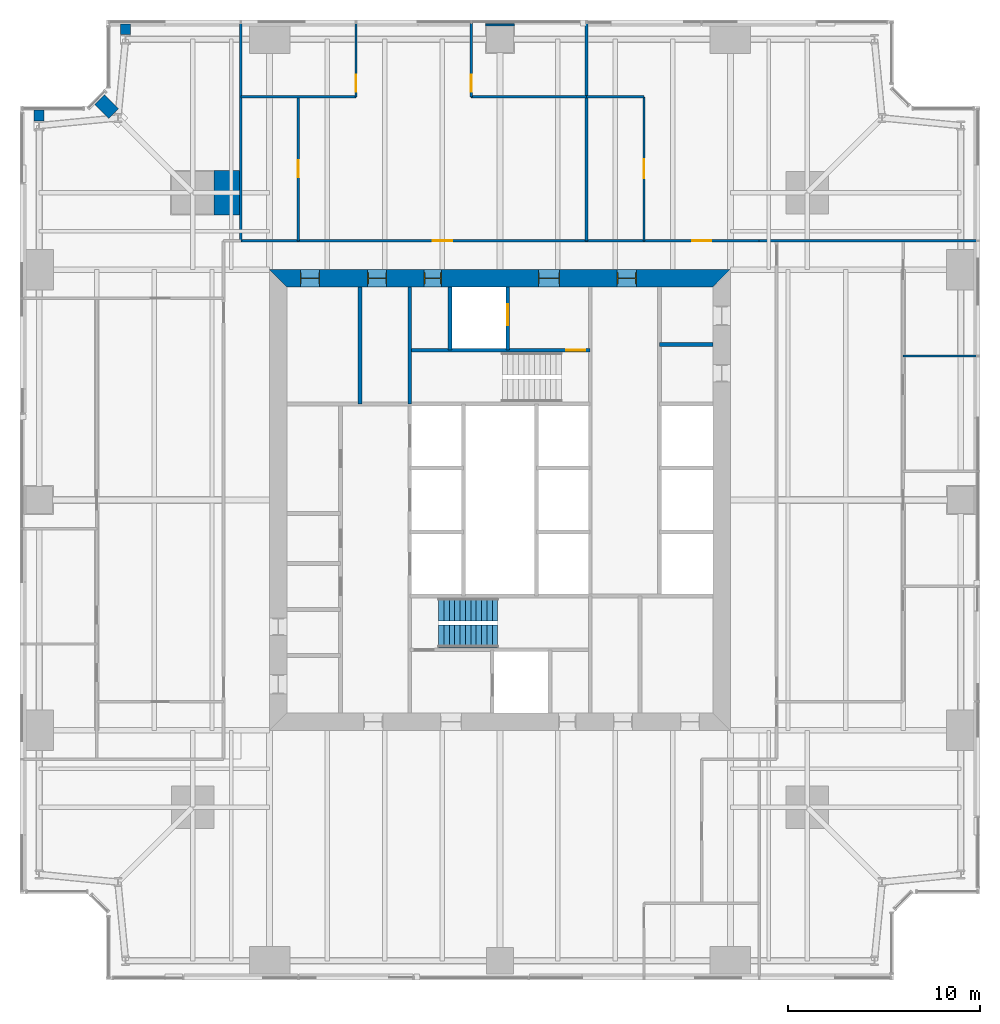
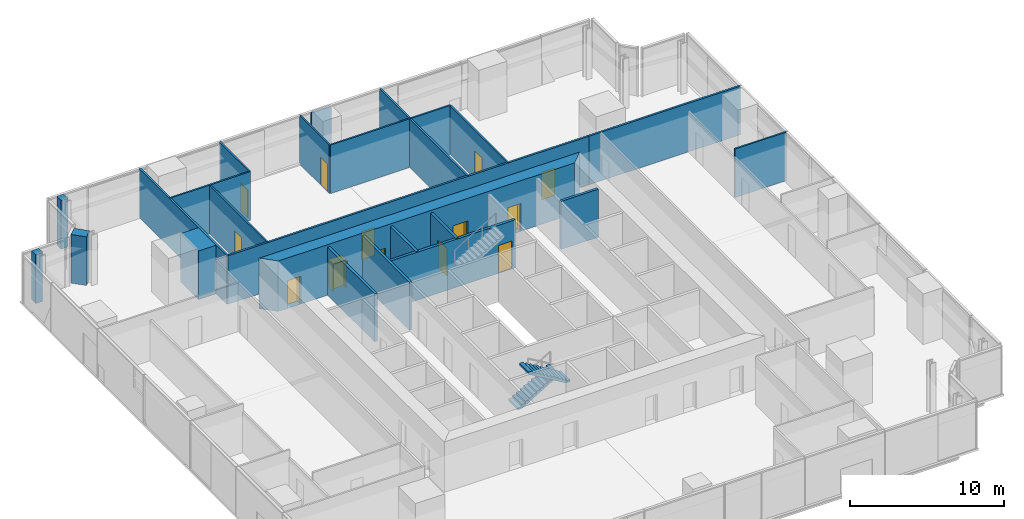
# One storey, part 11 of 14: 24 walls, 13 doors, 2 stair flights, 13 openings, 1 element without a shape of its own.
"""IFC4 building model written with IfcOpenShell, lengths in metres."""

from ifc_helpers import new_model, si_unit, direction, frame, frame_2d, origin, place, context, subcontext, project, spatial, polyline, rectangle, outline, extrude, material, layer, layer_set, type_object, element, fill, aggregate, save


model = new_model("IFC4")

# Units and contexts
model_context = context("Model", 3, precision=1e-05, world=origin(), true_north=direction((0.0, 1.0)))
body_context = subcontext(model_context, "Body", "Model", "MODEL_VIEW")
ifc_project = project(units=[si_unit("LENGTHUNIT", "METRE"), si_unit("AREAUNIT", "SQUARE_METRE"), si_unit("VOLUMEUNIT", "CUBIC_METRE"), si_unit("PLANEANGLEUNIT", "RADIAN"), si_unit("MASSUNIT", "GRAM", prefix="KILO")], contexts=[model_context])

# Site, building, storey
site_placement = place(None, origin())
site = spatial("IfcSite", under=ifc_project, at=site_placement, CompositionType="ELEMENT")
building_placement = place(site_placement, origin())
building = spatial("IfcBuilding", under=site, at=building_placement, Name="Fenwick Lantern Interchange", CompositionType="ELEMENT")
storey_placement = place(building_placement, frame((0.0, 0.0, 122.39990234375)))
storey = spatial("IfcBuildingStorey", under=building, at=storey_placement, Name="L28", CompositionType="ELEMENT", Elevation=122.39990234375)

# Walls
ifc_material_1 = material(Name="Fire-rated gypsum board encasement on steel studs, 2 hour", Category="steel")
ifc_layer_1 = layer(ifc_material_1, 1.5)
ifc_layer_set_1 = layer_set([ifc_layer_1], Name="COLUMN PIER 1500")
wall_type_1 = type_object("IfcWallType", Name="COLUMN PIER 1500", PredefinedType="PARTITIONING", material=ifc_layer_set_1)
wall_1_placement = place(storey_placement, frame((25.0, 49.800048828125, 0.0), z_axis=(0.0, 0.0, 1.0), x_axis=(0.0, -1.0, 0.0)))
element("IfcWall", 1, at=wall_1_placement, inside=storey, type_object=wall_type_1, Name="L28/W/PIER/CN3", PredefinedType="PARTITIONING", context=body_context, shape_type="SweptSolid", body=[
    extrude(rectangle(XDim=0.10009765625, YDim=1.5, at=frame_2d((0.050048828125, 0.0))), origin(), (0.0, 0.0, 1.0), 3.85009765625),
])
ifc_layer_2 = layer(ifc_material_1, 2.300048828125)
ifc_layer_set_2 = layer_set([ifc_layer_2], Name="COLUMN PIER 2300")
wall_type_2 = type_object("IfcWallType", Name="COLUMN PIER 2300", PredefinedType="PARTITIONING", material=ifc_layer_set_2)
wall_2_placement = place(storey_placement, frame((11.425048828125, 41.0, 0.0), z_axis=(0.0, 0.0, 1.0), x_axis=(-1.0, 0.0, 0.0)))
element("IfcWall", 2, at=wall_2_placement, inside=storey, type_object=wall_type_2, Name="L28/W/PIER/M4", PredefinedType="PARTITIONING", context=body_context, shape_type="SweptSolid", body=[
    extrude(rectangle(XDim=1.324951171875, YDim=2.300048828125, at=frame_2d((0.66259765625, 0.0))), origin(), (0.0, 0.0, 1.0), 3.85009765625),
])
ifc_layer_3 = layer(ifc_material_1, 0.52392578125)
ifc_layer_set_3 = layer_set([ifc_layer_3], Name="COLUMN PIER 524")
wall_type_3 = type_object("IfcWallType", Name="COLUMN PIER 524", PredefinedType="PARTITIONING", material=ifc_layer_set_3)
for number, where, z_axis, x_axis, name in (
    (3, (5.5, 49.800048828125, 0.0), (0.0, 0.0, 1.0), (0.0, -1.0, 0.0), "L28/W/PIER/CN5"),
    (4, (1.0, 45.300048828125, 0.0), (0.0, 0.0, 1.0), (0.0, -1.0, 0.0), "L28/W/PIER/CW1"),
):
    element("IfcWall", number, at=place(storey_placement, frame(where, z_axis=z_axis, x_axis=x_axis)), inside=storey, type_object=wall_type_3, Name=name, PredefinedType="PARTITIONING", context=body_context, shape_type="SweptSolid", body=[
        extrude(rectangle(XDim=0.5625, YDim=0.52392578125, at=frame_2d((0.28125, 0.0))), origin(), (0.0, 0.0, 1.0), 3.85009765625),
    ])
ifc_layer_4 = layer(ifc_material_1, 0.736083984375)
ifc_layer_set_4 = layer_set([ifc_layer_4], Name="COLUMN PIER 736")
wall_type_4 = type_object("IfcWallType", Name="COLUMN PIER 736", PredefinedType="PARTITIONING", material=ifc_layer_set_4)
wall_3_placement = place(storey_placement, frame((4.141357421875, 45.858642578125, 0.0), z_axis=(0.0, 0.0, 1.0), x_axis=(0.707106781187, -0.707106781187, 0.0)))
element("IfcWall", 5, at=wall_3_placement, inside=storey, type_object=wall_type_4, Name="L28/W/PIER/CNR", PredefinedType="PARTITIONING", context=body_context, shape_type="SweptSolid", body=[
    extrude(rectangle(XDim=1.037841796875, YDim=0.736083984375, at=frame_2d((0.51904296875, 0.0))), origin(), (0.0, 0.0, 1.0), 3.85009765625),
])

# Wall, opening, door
ifc_material_2 = material(Name="Concrete masonry ASTM C90 Grade N", Category="masonry")
ifc_layer_5 = layer(ifc_material_2, 0.199951171875)
ifc_layer_set_5 = layer_set([ifc_layer_5], Name="Concrete masonry ASTM C90 Grade N")
wall_type_5 = type_object("IfcWallType", Name="CORE PARTITION 200", PredefinedType="PARTITIONING", material=ifc_layer_set_5)
wall_4_placement = place(storey_placement, frame((25.39990234375, 36.10009765625, 0.0), z_axis=(0.0, 0.0, 1.0), x_axis=(0.0, -1.0, 0.0)))
wall_4 = element("IfcWall", 6, at=wall_4_placement, inside=storey, type_object=wall_type_5, Name="L28/W/COREN/h1", PredefinedType="PARTITIONING", context=body_context, shape_type="SweptSolid", body=[
    extrude(rectangle(XDim=3.300048828125, YDim=0.199951171875, at=frame_2d((1.64990234375, 0.0))), origin(), (0.0, 0.0, 1.0), 3.800048828125),
])
opening_1_placement = place(wall_4_placement, frame((0.89990234375, 0.0, 0.0)))
opening_1 = element("IfcOpeningElement", 7, at=opening_1_placement, cuts=wall_4, Name="Opening LD-FL2", PredefinedType="OPENING", context=body_context, shape_type="SweptSolid", body=[
    extrude(rectangle(XDim=1.10009765625, YDim=2.199951171875, at=frame_2d((0.550048828125, 1.10009765625))), frame((0.0, 0.10986328125, 0.0), z_axis=(0.0, -1.0, 0.0), x_axis=(1.0, 0.0, 0.0)), (0.0, 0.0, 1.0), 0.219970703125),
])
ifc_material_3 = material(Name="Steel door and frame", Category="steel")
door_type_1 = type_object("IfcDoorType", Name="LIFT LANDING DOOR 1100 X 2200", OperationType="DOUBLE_DOOR_SLIDING", PredefinedType="DOOR", material=ifc_material_3)
door_1_placement = place(opening_1_placement, origin())
door_1 = element("IfcDoor", 8, at=door_1_placement, inside=storey, type_object=door_type_1, Name="Lift landing door FL2", OperationType="DOUBLE_DOOR_SLIDING", OverallHeight=2.199951171875, OverallWidth=1.10009765625, PredefinedType="DOOR", context=body_context, shape_type="SweptSolid", body=[
    extrude(rectangle(XDim=1.10009765625, YDim=2.199951171875, at=frame_2d((0.550048828125, 1.10009765625))), frame((0.0, 0.02490234375, 0.0), z_axis=(0.0, -1.0, 0.0), x_axis=(1.0, 0.0, 0.0)), (0.0, 0.0, 1.0), 0.050048828125),
])
fill(opening_1, door_1)

# Walls
wall_5_placement = place(storey_placement, frame((22.39990234375, 36.10009765625, 0.0), z_axis=(0.0, 0.0, 1.0), x_axis=(0.0, -1.0, 0.0)))
element("IfcWall", 9, at=wall_5_placement, inside=storey, type_object=wall_type_5, Name="L28/W/COREN/h2", PredefinedType="PARTITIONING", context=body_context, shape_type="SweptSolid", body=[
    extrude(rectangle(XDim=3.300048828125, YDim=0.199951171875, at=frame_2d((1.64990234375, 0.0))), origin(), (0.0, 0.0, 1.0), 3.800048828125),
])
wall_6_placement = place(storey_placement, frame((17.699951171875, 36.10009765625, 0.0), z_axis=(0.0, 0.0, 1.0), x_axis=(0.0, -1.0, 0.0)))
element("IfcWall", 10, at=wall_6_placement, inside=storey, type_object=wall_type_5, Name="L28/W/COREN/i2", PredefinedType="PARTITIONING", context=body_context, shape_type="SweptSolid", body=[
    extrude(rectangle(XDim=6.10009765625, YDim=0.199951171875, at=frame_2d((3.050048828125, 0.0))), origin(), (0.0, 0.0, 1.0), 3.800048828125),
])
wall_7_placement = place(storey_placement, frame((36.10009765625, 33.10009765625, 0.0), z_axis=(0.0, 0.0, 1.0), x_axis=(-1.0, 0.0, 0.0)))
element("IfcWall", 11, at=wall_7_placement, inside=storey, type_object=wall_type_5, Name="L28/W/COREN/p1", PredefinedType="PARTITIONING", context=body_context, shape_type="SweptSolid", body=[
    extrude(rectangle(XDim=2.800048828125, YDim=0.199951171875, at=frame_2d((1.39990234375, 0.0))), origin(), (0.0, 0.0, 1.0), 3.800048828125),
])

# Wall, openings, doors
ifc_material_4 = material(Name="Concrete f'c 70 MPa", Category="concrete")
ifc_layer_6 = layer(ifc_material_4, 0.89990234375)
ifc_layer_set_6 = layer_set([ifc_layer_6], Name="CORE WALL 900")
wall_type_6 = type_object("IfcWallType", Name="CORE WALL 900", PredefinedType="SHEAR", material=ifc_layer_set_6)
wall_8_placement = place(storey_placement, frame((37.0, 36.550048828125, 0.0), z_axis=(0.0, 0.0, 1.0), x_axis=(-1.0, 0.0, 0.0)))
wall_8 = element("IfcWall", 12, at=wall_8_placement, inside=storey, type_object=wall_type_6, Name="L28/CORE/N", PredefinedType="SHEAR", context=body_context, shape_type="SweptSolid", body=[
    extrude(outline(polyline([(0.0, -0.449951171875), (24.0, -0.449951171875), (23.10009765625, 0.449951171875), (0.89990234375, 0.449951171875), (0.0, -0.449951171875)])), origin(), (0.0, 0.0, 1.0), 4.0),
])
opening_2_placement = place(wall_8_placement, frame((4.89990234375, 0.0, 0.0)))
opening_2 = element("IfcOpeningElement", 13, at=opening_2_placement, cuts=wall_8, Name="Opening L28-D012", PredefinedType="OPENING", context=body_context, shape_type="SweptSolid", body=[
    extrude(rectangle(XDim=1.0, YDim=2.199951171875, at=frame_2d((0.5, 1.10009765625))), frame((0.0, 0.4599609375, 0.0), z_axis=(0.0, -1.0, 0.0), x_axis=(1.0, 0.0, 0.0)), (0.0, 0.0, 1.0), 0.919921875),
])
opening_3_placement = place(wall_8_placement, frame((8.89990234375, 0.0, 0.0)))
opening_3 = element("IfcOpeningElement", 14, at=opening_3_placement, cuts=wall_8, Name="Opening L28-D013", PredefinedType="OPENING", context=body_context, shape_type="SweptSolid", body=[
    extrude(rectangle(XDim=1.10009765625, YDim=2.199951171875, at=frame_2d((0.550048828125, 1.10009765625))), frame((0.0, 0.4599609375, 0.0), z_axis=(0.0, -1.0, 0.0), x_axis=(1.0, 0.0, 0.0)), (0.0, 0.0, 1.0), 0.919921875),
])
opening_4_placement = place(wall_8_placement, frame((15.050048828125, 0.0, 0.0)))
opening_4 = element("IfcOpeningElement", 15, at=opening_4_placement, cuts=wall_8, Name="Opening L28-D015", PredefinedType="OPENING", context=body_context, shape_type="SweptSolid", body=[
    extrude(rectangle(XDim=0.89990234375, YDim=2.199951171875, at=frame_2d((0.449951171875, 1.10009765625))), frame((0.0, 0.4599609375, 0.0), z_axis=(0.0, -1.0, 0.0), x_axis=(1.0, 0.0, 0.0)), (0.0, 0.0, 1.0), 0.919921875),
])
opening_5_placement = place(wall_8_placement, frame((17.89990234375, 0.0, 0.0)))
opening_5 = element("IfcOpeningElement", 16, at=opening_5_placement, cuts=wall_8, Name="Opening L28-D016", PredefinedType="OPENING", context=body_context, shape_type="SweptSolid", body=[
    extrude(rectangle(XDim=1.0, YDim=2.199951171875, at=frame_2d((0.5, 1.10009765625))), frame((0.0, 0.4599609375, 0.0), z_axis=(0.0, -1.0, 0.0), x_axis=(1.0, 0.0, 0.0)), (0.0, 0.0, 1.0), 0.919921875),
])
opening_6_placement = place(wall_8_placement, frame((21.39990234375, 0.0, 0.0)))
opening_6 = element("IfcOpeningElement", 17, at=opening_6_placement, cuts=wall_8, Name="Opening L28-D017", PredefinedType="OPENING", context=body_context, shape_type="SweptSolid", body=[
    extrude(rectangle(XDim=1.0, YDim=2.199951171875, at=frame_2d((0.5, 1.10009765625))), frame((0.0, 0.4599609375, 0.0), z_axis=(0.0, -1.0, 0.0), x_axis=(1.0, 0.0, 0.0)), (0.0, 0.0, 1.0), 0.919921875),
])
door_type_2 = type_object("IfcDoorType", Name="CORE LOBBY DOOR 1000 X 2200", OperationType="SINGLE_SWING_LEFT", PredefinedType="DOOR", material=ifc_material_3)
door_2_placement = place(opening_2_placement, origin())
door_2 = element("IfcDoor", 18, at=door_2_placement, inside=storey, type_object=door_type_2, Name="Core lobby door", OperationType="SINGLE_SWING_LEFT", OverallHeight=2.199951171875, OverallWidth=1.0, PredefinedType="DOOR", context=body_context, shape_type="SweptSolid", body=[
    extrude(rectangle(XDim=1.0, YDim=2.199951171875, at=frame_2d((0.5, 1.10009765625))), frame((0.0, 0.02490234375, 0.0), z_axis=(0.0, -1.0, 0.0), x_axis=(1.0, 0.0, 0.0)), (0.0, 0.0, 1.0), 0.050048828125),
    extrude(outline(polyline([(0.0, 0.0), (0.0400390625, 0.0), (0.0400390625, 2.159912109375), (0.9599609375, 2.159912109375), (0.9599609375, 0.0), (1.0, 0.0), (1.0, 2.199951171875), (0.0, 2.199951171875), (0.0, 0.0)])), frame((0.0, 0.300048828125, 0.0), z_axis=(0.0, -1.0, 0.0), x_axis=(1.0, 0.0, 0.0)), (0.0, 0.0, 1.0), 0.60009765625),
])
fill(opening_2, door_2)
door_type_3 = type_object("IfcDoorType", Name="FIRE LOBBY DOOR 1100 X 2200", OperationType="SINGLE_SWING_LEFT", PredefinedType="DOOR", material=ifc_material_3)
door_3_placement = place(opening_3_placement, origin())
door_3 = element("IfcDoor", 19, at=door_3_placement, inside=storey, type_object=door_type_3, Name="Fire lobby door", OperationType="SINGLE_SWING_LEFT", OverallHeight=2.199951171875, OverallWidth=1.10009765625, PredefinedType="DOOR", context=body_context, shape_type="SweptSolid", body=[
    extrude(rectangle(XDim=1.10009765625, YDim=2.199951171875, at=frame_2d((0.550048828125, 1.10009765625))), frame((0.0, 0.02490234375, 0.0), z_axis=(0.0, -1.0, 0.0), x_axis=(1.0, 0.0, 0.0)), (0.0, 0.0, 1.0), 0.050048828125),
    extrude(outline(polyline([(0.0, 0.0), (0.0400390625, 0.0), (0.0400390625, 2.159912109375), (1.06005859375, 2.159912109375), (1.06005859375, 0.0), (1.10009765625, 0.0), (1.10009765625, 2.199951171875), (0.0, 2.199951171875), (0.0, 0.0)])), frame((0.0, 0.300048828125, 0.0), z_axis=(0.0, -1.0, 0.0), x_axis=(1.0, 0.0, 0.0)), (0.0, 0.0, 1.0), 0.60009765625),
])
fill(opening_3, door_3)
door_type_4 = type_object("IfcDoorType", Name="SERVICE DOOR 900 X 2200", OperationType="SINGLE_SWING_LEFT", PredefinedType="DOOR", material=ifc_material_3)
door_4_placement = place(opening_4_placement, origin())
door_4 = element("IfcDoor", 20, at=door_4_placement, inside=storey, type_object=door_type_4, Name="Service door", OperationType="SINGLE_SWING_LEFT", OverallHeight=2.199951171875, OverallWidth=0.89990234375, PredefinedType="DOOR", context=body_context, shape_type="SweptSolid", body=[
    extrude(rectangle(XDim=0.89990234375, YDim=2.199951171875, at=frame_2d((0.449951171875, 1.10009765625))), frame((0.0, 0.02490234375, 0.0), z_axis=(0.0, -1.0, 0.0), x_axis=(1.0, 0.0, 0.0)), (0.0, 0.0, 1.0), 0.050048828125),
    extrude(outline(polyline([(0.0, 0.0), (0.0400390625, 0.0), (0.0400390625, 2.159912109375), (0.85986328125, 2.159912109375), (0.85986328125, 0.0), (0.89990234375, 0.0), (0.89990234375, 2.199951171875), (0.0, 2.199951171875), (0.0, 0.0)])), frame((0.0, 0.300048828125, 0.0), z_axis=(0.0, -1.0, 0.0), x_axis=(1.0, 0.0, 0.0)), (0.0, 0.0, 1.0), 0.60009765625),
])
fill(opening_4, door_4)
ifc_material_5 = material(Name="Hardwood door and steel frame", Category="steel")
door_type_5 = type_object("IfcDoorType", Name="WC DOOR 1000 X 2200", OperationType="SINGLE_SWING_LEFT", PredefinedType="DOOR", material=ifc_material_5)
door_5_placement = place(opening_5_placement, origin())
door_5 = element("IfcDoor", 21, at=door_5_placement, inside=storey, type_object=door_type_5, Name="Wc door", OperationType="SINGLE_SWING_RIGHT", OverallHeight=2.199951171875, OverallWidth=1.0, PredefinedType="DOOR", context=body_context, shape_type="SweptSolid", body=[
    extrude(rectangle(XDim=1.0, YDim=2.199951171875, at=frame_2d((0.5, 1.10009765625))), frame((0.0, 0.02490234375, 0.0), z_axis=(0.0, -1.0, 0.0), x_axis=(1.0, 0.0, 0.0)), (0.0, 0.0, 1.0), 0.050048828125),
    extrude(outline(polyline([(0.0, 0.0), (0.0400390625, 0.0), (0.0400390625, 2.159912109375), (0.9599609375, 2.159912109375), (0.9599609375, 0.0), (1.0, 0.0), (1.0, 2.199951171875), (0.0, 2.199951171875), (0.0, 0.0)])), frame((0.0, 0.300048828125, 0.0), z_axis=(0.0, -1.0, 0.0), x_axis=(1.0, 0.0, 0.0)), (0.0, 0.0, 1.0), 0.60009765625),
])
fill(opening_5, door_5)
door_6_placement = place(opening_6_placement, origin())
door_6 = element("IfcDoor", 22, at=door_6_placement, inside=storey, type_object=door_type_5, Name="Wc door", OperationType="SINGLE_SWING_RIGHT", OverallHeight=2.199951171875, OverallWidth=1.0, PredefinedType="DOOR", context=body_context, shape_type="SweptSolid", body=[
    extrude(rectangle(XDim=1.0, YDim=2.199951171875, at=frame_2d((0.5, 1.10009765625))), frame((0.0, 0.02490234375, 0.0), z_axis=(0.0, -1.0, 0.0), x_axis=(1.0, 0.0, 0.0)), (0.0, 0.0, 1.0), 0.050048828125),
    extrude(outline(polyline([(0.0, 0.0), (0.0400390625, 0.0), (0.0400390625, 2.159912109375), (0.9599609375, 2.159912109375), (0.9599609375, 0.0), (1.0, 0.0), (1.0, 2.199951171875), (0.0, 2.199951171875), (0.0, 0.0)])), frame((0.0, 0.300048828125, 0.0), z_axis=(0.0, -1.0, 0.0), x_axis=(1.0, 0.0, 0.0)), (0.0, 0.0, 1.0), 0.60009765625),
])
fill(opening_6, door_6)

ifc_material_6 = material(Name="Gypsum board on steel studs, 1 hour", Category="steel")
ifc_layer_7 = layer(ifc_material_6, 0.14990234375)
ifc_layer_set_7 = layer_set([ifc_layer_7], Name="CORRIDOR WALL 150")
wall_type_7 = type_object("IfcWallType", Name="CORRIDOR WALL 150", PredefinedType="PARTITIONING", material=ifc_layer_set_7)
wall_9_placement = place(storey_placement, frame((38.5, 38.5, 0.0), z_axis=(0.0, 0.0, 1.0), x_axis=(-1.0, 0.0, 0.0)))
wall_9 = element("IfcWall", 23, at=wall_9_placement, inside=storey, type_object=wall_type_7, Name="L28/W/OFF/N/CW", PredefinedType="PARTITIONING", context=body_context, shape_type="SweptSolid", body=[
    extrude(rectangle(XDim=27.0, YDim=0.14990234375, at=frame_2d((13.5, 0.0))), origin(), (0.0, 0.0, 1.0), 3.85009765625),
])
opening_7_placement = place(wall_9_placement, frame((2.5, 0.0, 0.0)))
opening_7 = element("IfcOpeningElement", 24, at=opening_7_placement, cuts=wall_9, Name="Opening L28-D029", PredefinedType="OPENING", context=body_context, shape_type="SweptSolid", body=[
    extrude(rectangle(XDim=1.0, YDim=2.199951171875, at=frame_2d((0.5, 1.10009765625))), frame((0.0, 0.0849609375, 0.0), z_axis=(0.0, -1.0, 0.0), x_axis=(1.0, 0.0, 0.0)), (0.0, 0.0, 1.0), 0.169921875),
])
opening_8_placement = place(wall_9_placement, frame((16.0, 0.0, 0.0)))
opening_8 = element("IfcOpeningElement", 25, at=opening_8_placement, cuts=wall_9, Name="Opening L28-D031", PredefinedType="OPENING", context=body_context, shape_type="SweptSolid", body=[
    extrude(rectangle(XDim=1.0, YDim=2.199951171875, at=frame_2d((0.5, 1.10009765625))), frame((0.0, 0.0849609375, 0.0), z_axis=(0.0, -1.0, 0.0), x_axis=(1.0, 0.0, 0.0)), (0.0, 0.0, 1.0), 0.169921875),
])
door_type_6 = type_object("IfcDoorType", Name="SUITE ENTRANCE DOOR 1000 X 2200", OperationType="SINGLE_SWING_LEFT", PredefinedType="DOOR", material=ifc_material_3)
door_7_placement = place(opening_7_placement, frame((1.0, 0.0, 0.0), z_axis=(0.0, 0.0, 1.0), x_axis=(-1.0, 0.0, 0.0)))
door_7 = element("IfcDoor", 26, at=door_7_placement, inside=storey, type_object=door_type_6, Name="Suite entrance door", OperationType="SINGLE_SWING_LEFT", OverallHeight=2.199951171875, OverallWidth=1.0, PredefinedType="DOOR", context=body_context, shape_type="SweptSolid", body=[
    extrude(rectangle(XDim=1.0, YDim=2.199951171875, at=frame_2d((0.5, 1.10009765625))), frame((0.0, 0.02490234375, 0.0), z_axis=(0.0, -1.0, 0.0), x_axis=(1.0, 0.0, 0.0)), (0.0, 0.0, 1.0), 0.050048828125),
])
fill(opening_7, door_7)
door_8_placement = place(opening_8_placement, frame((1.0, 0.0, 0.0), z_axis=(0.0, 0.0, 1.0), x_axis=(-1.0, 0.0, 0.0)))
door_8 = element("IfcDoor", 27, at=door_8_placement, inside=storey, type_object=door_type_6, Name="Suite entrance door", OperationType="SINGLE_SWING_RIGHT", OverallHeight=2.199951171875, OverallWidth=1.0, PredefinedType="DOOR", context=body_context, shape_type="SweptSolid", body=[
    extrude(rectangle(XDim=1.0, YDim=2.199951171875, at=frame_2d((0.5, 1.10009765625))), frame((0.0, 0.02490234375, 0.0), z_axis=(0.0, -1.0, 0.0), x_axis=(1.0, 0.0, 0.0)), (0.0, 0.0, 1.0), 0.050048828125),
])
fill(opening_8, door_8)

# Wall
ifc_material_7 = material(Name="Gypsum board on steel studs, acoustic", Category="steel")
ifc_layer_8 = layer(ifc_material_7, 0.125)
ifc_layer_set_8 = layer_set([ifc_layer_8], Name="OFFICE PARTITION 125")
wall_type_8 = type_object("IfcWallType", Name="OFFICE PARTITION 125", PredefinedType="PARTITIONING", material=ifc_layer_set_8)
wall_10_placement = place(storey_placement, frame((49.85009765625, 32.5, 0.0), z_axis=(0.0, 0.0, 1.0), x_axis=(-1.0, 0.0, 0.0)))
element("IfcWall", 28, at=wall_10_placement, inside=storey, type_object=wall_type_8, Name="L28/W/OFF/E/X325-1", PredefinedType="PARTITIONING", context=body_context, shape_type="SweptSolid", body=[
    extrude(rectangle(XDim=3.85009765625, YDim=0.125, at=frame_2d((1.925048828125, 0.0))), origin(), (0.0, 0.0, 1.0), 3.85009765625),
])

# Wall, opening, door
wall_11_placement = place(storey_placement, frame((32.5, 46.0, 0.0), z_axis=(0.0, 0.0, 1.0), x_axis=(0.0, -1.0, 0.0)))
wall_11 = element("IfcWall", 29, at=wall_11_placement, inside=storey, type_object=wall_type_8, Name="L28/W/OFF/N/X175-1", PredefinedType="PARTITIONING", context=body_context, shape_type="SweptSolid", body=[
    extrude(rectangle(XDim=7.5, YDim=0.125, at=frame_2d((3.75, 0.0))), origin(), (0.0, 0.0, 1.0), 3.85009765625),
])
opening_9_placement = place(wall_11_placement, frame((3.25, 0.0, 0.0)))
opening_9 = element("IfcOpeningElement", 30, at=opening_9_placement, cuts=wall_11, Name="Opening L28-D030", PredefinedType="OPENING", context=body_context, shape_type="SweptSolid", body=[
    extrude(rectangle(XDim=1.0, YDim=2.199951171875, at=frame_2d((0.5, 1.10009765625))), frame((0.0, 0.072509765625, 0.0), z_axis=(0.0, -1.0, 0.0), x_axis=(1.0, 0.0, 0.0)), (0.0, 0.0, 1.0), 0.14501953125),
])
door_type_7 = type_object("IfcDoorType", Name="MEETING ROOM DOOR 1000 X 2200", OperationType="SINGLE_SWING_LEFT", PredefinedType="DOOR", material=ifc_material_5)
door_9_placement = place(opening_9_placement, frame((1.0, 0.0, 0.0), z_axis=(0.0, 0.0, 1.0), x_axis=(-1.0, 0.0, 0.0)))
door_9 = element("IfcDoor", 31, at=door_9_placement, inside=storey, type_object=door_type_7, Name="Meeting room door", OperationType="SINGLE_SWING_RIGHT", OverallHeight=2.199951171875, OverallWidth=1.0, PredefinedType="DOOR", context=body_context, shape_type="SweptSolid", body=[
    extrude(rectangle(XDim=1.0, YDim=2.199951171875, at=frame_2d((0.5, 1.10009765625))), frame((0.0, 0.02490234375, 0.0), z_axis=(0.0, -1.0, 0.0), x_axis=(1.0, 0.0, 0.0)), (0.0, 0.0, 1.0), 0.050048828125),
])
fill(opening_9, door_9)

wall_12_placement = place(storey_placement, frame((23.5, 49.85009765625, 0.0), z_axis=(0.0, 0.0, 1.0), x_axis=(0.0, -1.0, 0.0)))
wall_12 = element("IfcWall", 32, at=wall_12_placement, inside=storey, type_object=wall_type_8, Name="L28/W/OFF/N/X265-1", PredefinedType="PARTITIONING", context=body_context, shape_type="SweptSolid", body=[
    extrude(rectangle(XDim=3.85009765625, YDim=0.125, at=frame_2d((1.925048828125, 0.0))), origin(), (0.0, 0.0, 1.0), 3.85009765625),
])
opening_10_placement = place(wall_12_placement, frame((2.699951171875, 0.0, 0.0)))
opening_10 = element("IfcOpeningElement", 33, at=opening_10_placement, cuts=wall_12, Name="Opening L28-D032", PredefinedType="OPENING", context=body_context, shape_type="SweptSolid", body=[
    extrude(rectangle(XDim=0.89990234375, YDim=2.199951171875, at=frame_2d((0.449951171875, 1.10009765625))), frame((0.0, 0.072509765625, 0.0), z_axis=(0.0, -1.0, 0.0), x_axis=(1.0, 0.0, 0.0)), (0.0, 0.0, 1.0), 0.14501953125),
])
door_type_8 = type_object("IfcDoorType", Name="OFFICE DOOR 900 X 2200", OperationType="SINGLE_SWING_LEFT", PredefinedType="DOOR", material=ifc_material_5)
door_10_placement = place(opening_10_placement, origin())
door_10 = element("IfcDoor", 34, at=door_10_placement, inside=storey, type_object=door_type_8, Name="Office door", OperationType="SINGLE_SWING_RIGHT", OverallHeight=2.199951171875, OverallWidth=0.89990234375, PredefinedType="DOOR", context=body_context, shape_type="SweptSolid", body=[
    extrude(rectangle(XDim=0.89990234375, YDim=2.199951171875, at=frame_2d((0.449951171875, 1.10009765625))), frame((0.0, 0.02490234375, 0.0), z_axis=(0.0, -1.0, 0.0), x_axis=(1.0, 0.0, 0.0)), (0.0, 0.0, 1.0), 0.050048828125),
])
fill(opening_10, door_10)

wall_13_placement = place(storey_placement, frame((17.5, 49.85009765625, 0.0), z_axis=(0.0, 0.0, 1.0), x_axis=(0.0, -1.0, 0.0)))
wall_13 = element("IfcWall", 35, at=wall_13_placement, inside=storey, type_object=wall_type_8, Name="L28/W/OFF/N/X325-1", PredefinedType="PARTITIONING", context=body_context, shape_type="SweptSolid", body=[
    extrude(rectangle(XDim=3.85009765625, YDim=0.125, at=frame_2d((1.925048828125, 0.0))), origin(), (0.0, 0.0, 1.0), 3.85009765625),
])
opening_11_placement = place(wall_13_placement, frame((2.699951171875, 0.0, 0.0)))
opening_11 = element("IfcOpeningElement", 36, at=opening_11_placement, cuts=wall_13, Name="Opening L28-D033", PredefinedType="OPENING", context=body_context, shape_type="SweptSolid", body=[
    extrude(rectangle(XDim=0.89990234375, YDim=2.199951171875, at=frame_2d((0.449951171875, 1.10009765625))), frame((0.0, 0.072509765625, 0.0), z_axis=(0.0, -1.0, 0.0), x_axis=(1.0, 0.0, 0.0)), (0.0, 0.0, 1.0), 0.14501953125),
])
door_11_placement = place(opening_11_placement, frame((0.89990234375, 0.0, 0.0), z_axis=(0.0, 0.0, 1.0), x_axis=(-1.0, 0.0, 0.0)))
door_11 = element("IfcDoor", 37, at=door_11_placement, inside=storey, type_object=door_type_8, Name="Office door", OperationType="SINGLE_SWING_LEFT", OverallHeight=2.199951171875, OverallWidth=0.89990234375, PredefinedType="DOOR", context=body_context, shape_type="SweptSolid", body=[
    extrude(rectangle(XDim=0.89990234375, YDim=2.199951171875, at=frame_2d((0.449951171875, 1.10009765625))), frame((0.0, 0.02490234375, 0.0), z_axis=(0.0, -1.0, 0.0), x_axis=(1.0, 0.0, 0.0)), (0.0, 0.0, 1.0), 0.050048828125),
])
fill(opening_11, door_11)

wall_14_placement = place(storey_placement, frame((14.5, 46.0, 0.0), z_axis=(0.0, 0.0, 1.0), x_axis=(0.0, -1.0, 0.0)))
wall_14 = element("IfcWall", 38, at=wall_14_placement, inside=storey, type_object=wall_type_8, Name="L28/W/OFF/N/X355-1", PredefinedType="PARTITIONING", context=body_context, shape_type="SweptSolid", body=[
    extrude(rectangle(XDim=7.5, YDim=0.125, at=frame_2d((3.75, 0.0))), origin(), (0.0, 0.0, 1.0), 3.85009765625),
])
opening_12_placement = place(wall_14_placement, frame((3.300048828125, 0.0, 0.0)))
opening_12 = element("IfcOpeningElement", 39, at=opening_12_placement, cuts=wall_14, Name="Opening L28-D034", PredefinedType="OPENING", context=body_context, shape_type="SweptSolid", body=[
    extrude(rectangle(XDim=0.89990234375, YDim=2.199951171875, at=frame_2d((0.449951171875, 1.10009765625))), frame((0.0, 0.072509765625, 0.0), z_axis=(0.0, -1.0, 0.0), x_axis=(1.0, 0.0, 0.0)), (0.0, 0.0, 1.0), 0.14501953125),
])
door_12_placement = place(opening_12_placement, frame((0.89990234375, 0.0, 0.0), z_axis=(0.0, 0.0, 1.0), x_axis=(-1.0, 0.0, 0.0)))
door_12 = element("IfcDoor", 40, at=door_12_placement, inside=storey, type_object=door_type_8, Name="Office door", OperationType="SINGLE_SWING_RIGHT", OverallHeight=2.199951171875, OverallWidth=0.89990234375, PredefinedType="DOOR", context=body_context, shape_type="SweptSolid", body=[
    extrude(rectangle(XDim=0.89990234375, YDim=2.199951171875, at=frame_2d((0.449951171875, 1.10009765625))), frame((0.0, 0.02490234375, 0.0), z_axis=(0.0, -1.0, 0.0), x_axis=(1.0, 0.0, 0.0)), (0.0, 0.0, 1.0), 0.050048828125),
])
fill(opening_12, door_12)

# Walls
wall_15_placement = place(storey_placement, frame((32.5, 46.0, 0.0), z_axis=(0.0, 0.0, 1.0), x_axis=(-1.0, 0.0, 0.0)))
element("IfcWall", 41, at=wall_15_placement, inside=storey, type_object=wall_type_8, Name="L28/W/OFF/N/Y40-1", PredefinedType="PARTITIONING", context=body_context, shape_type="SweptSolid", body=[
    extrude(rectangle(XDim=3.0, YDim=0.125, at=frame_2d((1.5, 0.0))), origin(), (0.0, 0.0, 1.0), 3.85009765625),
])
for number, where, z_axis, x_axis, name in (
    (42, (29.5, 46.0, 0.0), (0.0, 0.0, 1.0), (-1.0, 0.0, 0.0), "L28/W/OFF/N/Y40-2"),
    (43, (17.5, 46.0, 0.0), (0.0, 0.0, 1.0), (-1.0, 0.0, 0.0), "L28/W/OFF/N/Y40-3"),
):
    element("IfcWall", number, at=place(storey_placement, frame(where, z_axis=z_axis, x_axis=x_axis)), inside=storey, type_object=wall_type_8, Name=name, PredefinedType="PARTITIONING", context=body_context, shape_type="SweptSolid", body=[
        extrude(rectangle(XDim=6.0, YDim=0.125, at=frame_2d((3.0, 0.0))), origin(), (0.0, 0.0, 1.0), 3.85009765625),
    ])

# Wall, opening, door
ifc_material_8 = material(Name="Concrete f'c 45 MPa", Category="concrete")
ifc_layer_9 = layer(ifc_material_8, 0.199951171875)
ifc_layer_set_9 = layer_set([ifc_layer_9], Name="STAIR CORE WALL 200")
wall_type_9 = type_object("IfcWallType", Name="STAIR CORE WALL 200", PredefinedType="SOLIDWALL", material=ifc_layer_set_9)
wall_16_placement = place(storey_placement, frame((29.699951171875, 32.800048828125, 0.0), z_axis=(0.0, 0.0, 1.0), x_axis=(-1.0, 0.0, 0.0)))
wall_16 = element("IfcWall", 44, at=wall_16_placement, inside=storey, type_object=wall_type_9, Name="L28/W/COREN/g1", PredefinedType="SOLIDWALL", context=body_context, shape_type="SweptSolid", body=[
    extrude(rectangle(XDim=9.39990234375, YDim=0.199951171875, at=frame_2d((4.699951171875, 0.0))), origin(), (0.0, 0.0, 1.0), 3.800048828125),
])
opening_13_placement = place(wall_16_placement, frame((0.25, 0.0, 0.0)))
opening_13 = element("IfcOpeningElement", 45, at=opening_13_placement, cuts=wall_16, Name="Opening L28-D014", PredefinedType="OPENING", context=body_context, shape_type="SweptSolid", body=[
    extrude(rectangle(XDim=1.0, YDim=2.199951171875, at=frame_2d((0.5, 1.10009765625))), frame((0.0, 0.10986328125, 0.0), z_axis=(0.0, -1.0, 0.0), x_axis=(1.0, 0.0, 0.0)), (0.0, 0.0, 1.0), 0.219970703125),
])
door_type_9 = type_object("IfcDoorType", Name="STAIR DOOR 1000 X 2200", OperationType="SINGLE_SWING_LEFT", PredefinedType="DOOR", material=ifc_material_3)
door_13_placement = place(opening_13_placement, origin())
door_13 = element("IfcDoor", 46, at=door_13_placement, inside=storey, type_object=door_type_9, Name="Stair door", OperationType="SINGLE_SWING_LEFT", OverallHeight=2.199951171875, OverallWidth=1.0, PredefinedType="DOOR", context=body_context, shape_type="SweptSolid", body=[
    extrude(rectangle(XDim=1.0, YDim=2.199951171875, at=frame_2d((0.5, 1.10009765625))), frame((0.0, 0.02490234375, 0.0), z_axis=(0.0, -1.0, 0.0), x_axis=(1.0, 0.0, 0.0)), (0.0, 0.0, 1.0), 0.050048828125),
])
fill(opening_13, door_13)

# Walls
wall_17_placement = place(storey_placement, frame((20.300048828125, 36.10009765625, 0.0), z_axis=(0.0, 0.0, 1.0), x_axis=(0.0, -1.0, 0.0)))
element("IfcWall", 47, at=wall_17_placement, inside=storey, type_object=wall_type_9, Name="L28/W/COREN/i1", PredefinedType="SOLIDWALL", context=body_context, shape_type="SweptSolid", body=[
    extrude(rectangle(XDim=6.10009765625, YDim=0.199951171875, at=frame_2d((3.050048828125, 0.0))), origin(), (0.0, 0.0, 1.0), 3.800048828125),
])
ifc_material_9 = material(Name="Gypsum board on steel studs, 1 hour acoustic", Category="steel")
ifc_layer_10 = layer(ifc_material_9, 0.14990234375)
ifc_layer_set_10 = layer_set([ifc_layer_10], Name="TENANT WALL 150")
wall_type_10 = type_object("IfcWallType", Name="TENANT WALL 150", PredefinedType="PARTITIONING", material=ifc_layer_set_10)
for number, where, z_axis, x_axis, name in (
    (48, (49.85009765625, 38.5, 0.0), (0.0, 0.0, 1.0), (-1.0, 0.0, 0.0), "L28/W/OFF/N/BACK"),
    (49, (29.5, 49.85009765625, 0.0), (0.0, 0.0, 1.0), (0.0, -1.0, 0.0), "L28/W/OFF/N/X205-1"),
    (50, (11.5, 49.85009765625, 0.0), (0.0, 0.0, 1.0), (0.0, -1.0, 0.0), "L28/W/OFF/W/BACK"),
):
    element("IfcWall", number, at=place(storey_placement, frame(where, z_axis=z_axis, x_axis=x_axis)), inside=storey, type_object=wall_type_10, Name=name, PredefinedType="PARTITIONING", context=body_context, shape_type="SweptSolid", body=[
        extrude(rectangle(XDim=11.35009765625, YDim=0.14990234375, at=frame_2d((5.675048828125, 0.0))), origin(), (0.0, 0.0, 1.0), 3.85009765625),
    ])

# Stair, stair flights
ifc_material_10 = material(Name="Precast concrete f'c 35 MPa", Category="concrete")
stair_type = type_object("IfcStairType", Name="EXIT STAIR 1200", PredefinedType="HALF_TURN_STAIR", material=ifc_material_10)
stair_placement = place(storey_placement, origin())
stair = element("IfcStair", 51, at=stair_placement, inside=storey, type_object=stair_type, Name="Exit stair ST1", PredefinedType="HALF_TURN_STAIR")
stair_flight_type = type_object("IfcStairFlightType", Name="STAIR FLIGHT 1200", PredefinedType="STRAIGHT", material=ifc_material_10)
stair_flight_1_placement = place(storey_placement, frame((21.800048828125, 19.300048828125, 0.0), z_axis=(0.0, 0.0, 1.0), x_axis=(1.0, 0.0, 0.0)))
stair_flight_1 = element("IfcStairFlight", 52, at=stair_flight_1_placement, type_object=stair_flight_type, Name="ST1 flight 1", NumberOfRisers=12, NumberOfTreads=11, PredefinedType="STRAIGHT", RiserHeight=0.166666667, TreadLength=0.28, context=body_context, shape_type="SweptSolid", body=[
    extrude(outline(polyline([(0.0, 0.0), (0.0, 0.166748046875), (0.280029296875, 0.166748046875), (0.280029296875, 0.333251953125), (0.56005859375, 0.333251953125), (0.56005859375, 0.5), (0.840087890625, 0.5), (0.840087890625, 0.666748046875), (1.1201171875, 0.666748046875), (1.1201171875, 0.833251953125), (1.39990234375, 0.833251953125), (1.39990234375, 1.0), (1.679931640625, 1.0), (1.679931640625, 1.166748046875), (1.9599609375, 1.166748046875), (1.9599609375, 1.333251953125), (2.239990234375, 1.333251953125), (2.239990234375, 1.5), (2.52001953125, 1.5), (2.52001953125, 1.666748046875), (2.800048828125, 1.666748046875), (2.800048828125, 1.833251953125), (3.080078125, 1.833251953125), (3.080078125, 2.0), (3.080078125, 1.658935546875), (0.29296875, 0.0), (0.0, 0.0)])), frame((0.0, 0.60009765625, 0.0), z_axis=(0.0, -1.0, 0.0), x_axis=(1.0, 0.0, 0.0)), (0.0, 0.0, 1.0), 1.199951171875),
])
stair_flight_2_placement = place(storey_placement, frame((24.8798828125, 17.89990234375, 2.0), z_axis=(0.0, 0.0, 1.0), x_axis=(-1.0, 0.0, 0.0)))
stair_flight_2 = element("IfcStairFlight", 53, at=stair_flight_2_placement, type_object=stair_flight_type, Name="ST1 flight 2", NumberOfRisers=12, NumberOfTreads=11, PredefinedType="STRAIGHT", RiserHeight=0.166666667, TreadLength=0.28, context=body_context, shape_type="SweptSolid", body=[
    extrude(outline(polyline([(0.0, 0.0), (0.0, 0.166748046875), (0.280029296875, 0.166748046875), (0.280029296875, 0.333251953125), (0.56005859375, 0.333251953125), (0.56005859375, 0.5), (0.840087890625, 0.5), (0.840087890625, 0.666748046875), (1.1201171875, 0.666748046875), (1.1201171875, 0.833251953125), (1.39990234375, 0.833251953125), (1.39990234375, 1.0), (1.679931640625, 1.0), (1.679931640625, 1.166748046875), (1.9599609375, 1.166748046875), (1.9599609375, 1.333251953125), (2.239990234375, 1.333251953125), (2.239990234375, 1.5), (2.52001953125, 1.5), (2.52001953125, 1.666748046875), (2.800048828125, 1.666748046875), (2.800048828125, 1.833251953125), (3.080078125, 1.833251953125), (3.080078125, 2.0), (3.080078125, 1.658935546875), (0.29296875, 0.0), (0.0, 0.0)])), frame((0.0, 0.60009765625, 0.0), z_axis=(0.0, -1.0, 0.0), x_axis=(1.0, 0.0, 0.0)), (0.0, 0.0, 1.0), 1.199951171875),
])
aggregate(stair, [stair_flight_1, stair_flight_2])

save(model, "model.ifc")
